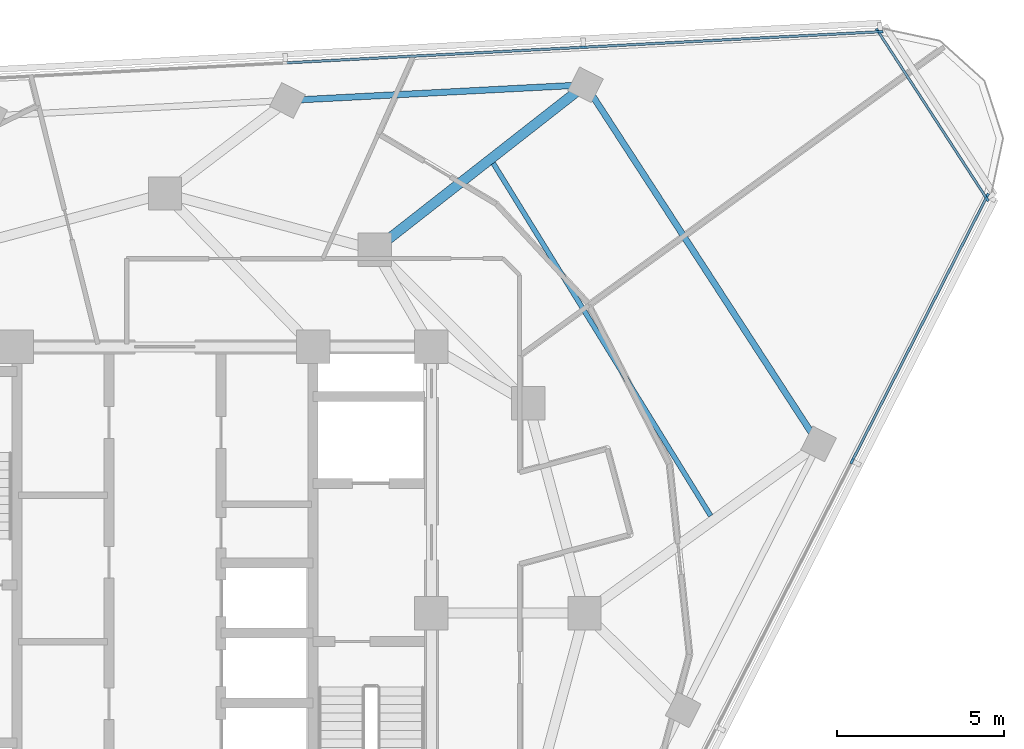
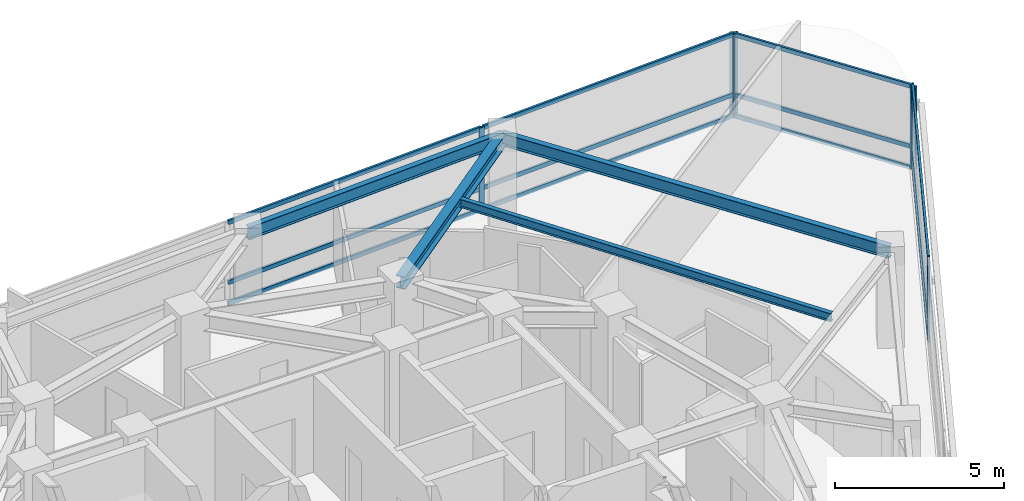
# One storey, part 6 of 15: 18 members, 4 beams, 3 elements without a shape of their own.
"""IFC4 building model written with IfcOpenShell, lengths in metres."""

import ifcopenshell
import ifcopenshell.guid

model = None  # the IFC model being written
_history = None  # IfcOwnerHistory: only IFC2X3 demands one
_inside = {}  # id of a spatial element -> (the spatial element, [elements in it])
_under = {}  # id of a project, library or spatial element -> (it, [spatial elements below it])
_declared = {}  # id of a project -> (the project, [libraries it declares])
_typed = {}  # id of a type object -> (the type object, [elements of that type])
_made_of = {}  # id of a material, layer set ... -> (it, [elements and type objects made of it])


def new_model(schema):
    """Start an empty IFC model of exactly this schema.

    Asked for "IFC4X3", IfcOpenShell would pick the latest addendum, in which some entities
    have other attributes; the version numbers below select the first issue.
    IFC2X3 requires an IfcOwnerHistory on every rooted entity: one is made here for all.
    """
    global model, _history
    if schema == "IFC4X3":
        model = ifcopenshell.file(schema_version=(4, 3, 0, 0))
    else:
        model = ifcopenshell.file(schema=schema)
    _inside.clear()
    _under.clear()
    _declared.clear()
    _typed.clear()
    _made_of.clear()
    _history = None
    if model.schema == "IFC2X3":
        org = make("IfcOrganization", Name="unknown")
        user = make(
            "IfcPersonAndOrganization",
            ThePerson=make("IfcPerson", FamilyName="unknown"),
            TheOrganization=org,
        )
        app = make(
            "IfcApplication",
            ApplicationDeveloper=org,
            Version="unknown",
            ApplicationFullName="unknown",
            ApplicationIdentifier="unknown",
        )
        _history = make(
            "IfcOwnerHistory",
            OwningUser=user,
            OwningApplication=app,
            ChangeAction="ADDED",
            CreationDate=0,
        )
    return model


def make(cls, **values):
    """One entity of the class cls with the attributes given. An attribute that is None is left unset."""
    return model.create_entity(
        cls, **{name: value for name, value in values.items() if value is not None}
    )


def rooted(cls, **values):
    """An entity with a GlobalId (a new one), such as an element, a storey or a relation."""
    return make(cls, GlobalId=ifcopenshell.guid.new(), OwnerHistory=_history, **values)


def si_unit(unit_type, name, prefix=None):
    """IfcSIUnit, for example si_unit("LENGTHUNIT", "METRE", prefix="MILLI")."""
    return make("IfcSIUnit", UnitType=unit_type, Prefix=prefix, Name=name)


def assignment(units):
    """IfcUnitAssignment: the units of a project."""
    return None if units is None else make("IfcUnitAssignment", Units=units)


def point(xyz):
    """IfcCartesianPoint."""
    return None if xyz is None else make("IfcCartesianPoint", Coordinates=xyz)


def direction(xyz):
    """IfcDirection."""
    return None if xyz is None else make("IfcDirection", DirectionRatios=xyz)


def frame(location, z_axis=None, x_axis=None):
    """IfcAxis2Placement3D, a coordinate frame: its origin and axes. An axis left out is left unset."""
    return make(
        "IfcAxis2Placement3D",
        Location=point(location),
        Axis=direction(z_axis),
        RefDirection=direction(x_axis),
    )


def frame_2d(location, x_axis=None):
    """IfcAxis2Placement2D, a coordinate frame in the plane: its origin and x axis."""
    return make(
        "IfcAxis2Placement2D", Location=point(location), RefDirection=direction(x_axis)
    )


def origin():
    """The frame at (0, 0, 0) with its axes left unset."""
    return frame((0.0, 0.0, 0.0))


def origin_2d():
    """The frame at (0, 0) in the plane with its x axis left unset."""
    return frame_2d((0.0, 0.0))


def place(relative_to, where):
    """IfcLocalPlacement: puts the frame where relative to a parent placement (None: the world)."""
    return make(
        "IfcLocalPlacement", PlacementRelTo=relative_to, RelativePlacement=where
    )


def context(
    kind, dimensions, precision=None, world=None, true_north=None, identifier=None
):
    """IfcGeometricRepresentationContext, for example the 3D "Model" context."""
    return make(
        "IfcGeometricRepresentationContext",
        ContextIdentifier=identifier,
        ContextType=kind,
        CoordinateSpaceDimension=dimensions,
        Precision=precision,
        WorldCoordinateSystem=world,
        TrueNorth=true_north,
    )


def subcontext(parent, identifier, kind, view, scale=None):
    """IfcGeometricRepresentationSubContext, for example "Body" below "Model"."""
    return make(
        "IfcGeometricRepresentationSubContext",
        ContextIdentifier=identifier,
        ContextType=kind,
        ParentContext=parent,
        TargetScale=scale,
        TargetView=view,
    )


def project(units=None, contexts=None):
    """IfcProject with its units and contexts."""
    return rooted(
        "IfcProject",
        Name="project",
        RepresentationContexts=contexts,
        UnitsInContext=assignment(units),
    )


def spatial(cls, under=None, at=None, **own):
    """A site, building, storey or space (cls), placed at a placement, below another one or the project."""
    s = rooted(cls, ObjectPlacement=at, **own)
    if under is not None:
        _under.setdefault(under.id(), (under, []))[1].append(s)
    return s


def profile(cls, at=None, kind="AREA", **sizes):
    """A parametric profile (cls). Its sizes go by their IFC names, for example OverallWidth=200.0."""
    return make(cls, ProfileType=kind, Position=at, **sizes)


def rectangle(**sizes):
    """IfcRectangleProfileDef."""
    return profile("IfcRectangleProfileDef", **sizes)


def i_section(**sizes):
    """IfcIShapeProfileDef."""
    return profile("IfcIShapeProfileDef", **sizes)


def extrude(swept, where, along, depth):
    """IfcExtrudedAreaSolid: the profile swept, set in the frame where, extruded along a direction by depth."""
    return make(
        "IfcExtrudedAreaSolid",
        SweptArea=swept,
        Position=where,
        ExtrudedDirection=direction(along),
        Depth=depth,
    )


def shape(context_of_items, identifier, shape_type, items):
    """IfcShapeRepresentation: the items that make up one representation, for example the "Body"."""
    return make(
        "IfcShapeRepresentation",
        ContextOfItems=context_of_items,
        RepresentationIdentifier=identifier,
        RepresentationType=shape_type,
        Items=items,
    )


def material(Name=None, Category=None):
    """IfcMaterial."""
    return make("IfcMaterial", Name=Name, Category=Category)


def layer(
    of_material, thickness, ventilated=None, Name=None, Category=None, Priority=None
):
    """IfcMaterialLayer: one layer of a wall or slab, of a material (None: an air gap)."""
    return make(
        "IfcMaterialLayer",
        Material=of_material,
        LayerThickness=thickness,
        IsVentilated=ventilated,
        Name=Name,
        Category=Category,
        Priority=Priority,
    )


def layer_set(layers, Name=None):
    """IfcMaterialLayerSet."""
    return make("IfcMaterialLayerSet", MaterialLayers=layers, LayerSetName=Name)


def material_profile(
    of_material, cross_section, Name=None, Category=None, Priority=None
):
    """IfcMaterialProfile: a cross section and its material."""
    return make(
        "IfcMaterialProfile",
        Name=Name,
        Material=of_material,
        Profile=cross_section,
        Priority=Priority,
        Category=Category,
    )


def profile_set(profiles, Name=None, composite=None):
    """IfcMaterialProfileSet."""
    return make(
        "IfcMaterialProfileSet",
        Name=Name,
        MaterialProfiles=profiles,
        CompositeProfile=composite,
    )


def made_of(thing, what):
    """Note that an element or type object is made of a material, layer set ...; save() writes the relation."""
    if what is not None:
        _made_of.setdefault(what.id(), (what, []))[1].append(thing)
    return thing


def type_object(cls, material=None, **own):
    """A type object (cls), such as IfcWallType, which elements share."""
    return made_of(rooted(cls, **own), material)


def element(
    cls,
    number,
    at=None,
    inside=None,
    cuts=None,
    type_object=None,
    material=None,
    context=None,
    identifier="Body",
    shape_type=None,
    held_by="IfcProductDefinitionShape",
    body=None,
    shapes=None,
    **own,
):
    """One element of the class cls, such as IfcWall. Its Tag is "e" and its number.

    at: its placement. inside: the storey or other place that contains it. cuts: it is an
    opening in that element (IfcRelVoidsElement). A single representation is given by context,
    identifier, shape_type and body (its items); several are given by shapes. held_by: the class
    of the entity that holds the representations. save() writes the other relations.
    """
    e = rooted(cls, Tag="e%d" % number, ObjectPlacement=at, **own)
    if body is not None:
        shapes = [shape(context, identifier, shape_type, body)]
    if shapes is not None:
        e.Representation = make(held_by, Representations=shapes)
    if inside is not None:
        _inside.setdefault(inside.id(), (inside, []))[1].append(e)
    if cuts is not None:
        rooted(
            "IfcRelVoidsElement", RelatingBuildingElement=cuts, RelatedOpeningElement=e
        )
    if type_object is not None:
        _typed.setdefault(type_object.id(), (type_object, []))[1].append(e)
    return made_of(e, material)


def aggregate(whole, parts):
    """IfcRelAggregates: a whole, such as a stair, and the parts it consists of."""
    return rooted("IfcRelAggregates", RelatingObject=whole, RelatedObjects=parts)


def save(model, path):
    """Write the relations noted so far, then the file.

    IfcRelAggregates (storeys below a building ...), IfcRelContainedInSpatialStructure (elements
    in a storey), IfcRelDefinesByType, IfcRelAssociatesMaterial and IfcRelDeclares: one each for
    every whole, place, type object, material and project.
    """
    for whole, parts in _under.values():
        aggregate(whole, parts)
    for where, things in _inside.values():
        rooted(
            "IfcRelContainedInSpatialStructure",
            RelatedElements=things,
            RelatingStructure=where,
        )
    for kind, things in _typed.values():
        rooted("IfcRelDefinesByType", RelatedObjects=things, RelatingType=kind)
    for what, things in _made_of.values():
        rooted("IfcRelAssociatesMaterial", RelatedObjects=things, RelatingMaterial=what)
    for by, libraries in _declared.values():
        rooted("IfcRelDeclares", RelatingContext=by, RelatedDefinitions=libraries)
    model.write(path)


model = new_model("IFC4")

# Units and contexts
model_context = context("Model", 3, precision=1e-05, world=origin(), true_north=direction((0.0, 1.0)))
body_context = subcontext(model_context, "Body", "Model", "MODEL_VIEW")
ifc_project = project(units=[si_unit("LENGTHUNIT", "METRE"), si_unit("AREAUNIT", "SQUARE_METRE"), si_unit("VOLUMEUNIT", "CUBIC_METRE"), si_unit("PLANEANGLEUNIT", "RADIAN"), si_unit("MASSUNIT", "GRAM", prefix="KILO")], contexts=[model_context])

# Site, building, storey
site_placement = place(None, origin())
site = spatial("IfcSite", under=ifc_project, at=site_placement, CompositionType="ELEMENT")
building_placement = place(site_placement, origin())
building = spatial("IfcBuilding", under=site, at=building_placement, Name="Terralouvre Media Tower", CompositionType="ELEMENT")
storey_placement = place(building_placement, frame((0.0, 0.0, 255.89990234375)))
storey = spatial("IfcBuildingStorey", under=building, at=storey_placement, Name="L66", CompositionType="ELEMENT", Elevation=255.89990234375)

# Beam
ifc_material_1 = material(Name="Structural steel S355J2", Category="steel")
ifc_material_profile_1 = material_profile(ifc_material_1, i_section(OverallWidth=0.14990234375, OverallDepth=0.300048828125, WebThickness=0.007080078125, FlangeThickness=0.0107421875, at=origin_2d()), Name="IPE 300")
ifc_profile_set_1 = profile_set([ifc_material_profile_1], Name="Structural steel S355J2")
beam_type_1 = type_object("IfcBeamType", Name="Composite Floor Joist J-IPE300 (IPE 300)", PredefinedType="JOIST", material=ifc_profile_set_1)
beam_1_placement = place(storey_placement, frame((16.387451171875, 2.9228515625, 3.35009765625), z_axis=(-0.524944877802, 0.851136226035, 0.0), x_axis=(-0.851136226035, -0.524944877802, 0.0)))
element("IfcBeam", 1, at=beam_1_placement, inside=storey, type_object=beam_type_1, Name="L66 Framing Beam JT-L66-03", PredefinedType="JOIST", context=body_context, shape_type="SweptSolid", body=[
    extrude(i_section(OverallWidth=0.14990234375, OverallDepth=0.300048828125, WebThickness=0.007080078125, FlangeThickness=0.0107421875, at=origin_2d()), origin(), (0.0, 0.0, 1.0), 12.43701171875),
])

# Curtain wall, members
ifc_material_2 = material(Name="Low-iron laminated double glazing with solar-control coating", Category="glass")
ifc_layer_1 = layer(ifc_material_2, 0.1650390625, Name="Upper Executive Tower Curtain Wall CW-05")
ifc_layer_set_1 = layer_set([ifc_layer_1], Name="Low-iron laminated double glazing with solar-control coating")
curtain_wall_type_1 = type_object("IfcCurtainWallType", Name="Upper Executive Tower Curtain Wall CW-05", PredefinedType="NOTDEFINED", material=ifc_layer_set_1)
curtain_wall_1_placement = place(storey_placement, origin())
curtain_wall_1 = element("IfcCurtainWall", 2, at=curtain_wall_1_placement, inside=storey, type_object=curtain_wall_type_1, Name="L66 Facade Curtain Wall F0", PredefinedType="NOTDEFINED")
ifc_material_3 = material(Name="Anodised extruded aluminium 6063-T6", Category="aluminium")
ifc_material_profile_2 = material_profile(ifc_material_3, rectangle(XDim=0.074951171875, YDim=0.14990234375, at=origin_2d()), Name="ALU 75x150")
ifc_profile_set_2 = profile_set([ifc_material_profile_2], Name="Anodised extruded aluminium 6063-T6")
member_type_1 = type_object("IfcMemberType", Name="Curtain-Wall Horizontal Transom TR-150", PredefinedType="USERDEFINED", material=ifc_profile_set_2)
member_1_placement = place(storey_placement, frame((20.6533203125, 4.602783203125, 0.03759765625), z_axis=(0.453989026721, 0.891007274727, 0.0), x_axis=(-0.891007274727, 0.453989026721, 0.0)))
member_1 = element("IfcMember", 3, at=member_1_placement, type_object=member_type_1, Name="CW-05 transom 5.1", ObjectType="TRANSOM", PredefinedType="USERDEFINED", context=body_context, shape_type="SweptSolid", body=[
    extrude(rectangle(XDim=0.074951171875, YDim=0.14990234375, at=origin_2d()), origin(), (0.0, 0.0, 1.0), 8.847412109375),
])
member_2_placement = place(storey_placement, frame((20.6533203125, 4.602783203125, 0.800048828125), z_axis=(0.453989026721, 0.891007274727, 0.0), x_axis=(-0.891007274727, 0.453989026721, 0.0)))
member_2 = element("IfcMember", 4, at=member_2_placement, type_object=member_type_1, Name="CW-05 transom 5.2", ObjectType="TRANSOM", PredefinedType="USERDEFINED", context=body_context, shape_type="SweptSolid", body=[
    extrude(rectangle(XDim=0.074951171875, YDim=0.14990234375, at=origin_2d()), origin(), (0.0, 0.0, 1.0), 8.847412109375),
])
member_3_placement = place(storey_placement, frame((20.6533203125, 4.602783203125, 2.962646484375), z_axis=(0.453989026721, 0.891007274727, 0.0), x_axis=(-0.891007274727, 0.453989026721, 0.0)))
member_3 = element("IfcMember", 5, at=member_3_placement, type_object=member_type_1, Name="CW-05 transom 5.3", ObjectType="TRANSOM", PredefinedType="USERDEFINED", context=body_context, shape_type="SweptSolid", body=[
    extrude(rectangle(XDim=0.074951171875, YDim=0.14990234375, at=origin_2d()), origin(), (0.0, 0.0, 1.0), 8.847412109375),
])

curtain_wall_2_placement = place(storey_placement, origin())
curtain_wall_2 = element("IfcCurtainWall", 6, at=curtain_wall_2_placement, inside=storey, type_object=curtain_wall_type_1, Name="L66 Facade Curtain Wall F1", PredefinedType="NOTDEFINED")
member_4_placement = place(storey_placement, frame((21.440673828125, 17.458740234375, 0.03759765625), z_axis=(-0.99862901196, -0.052345930801, 0.0), x_axis=(0.052345930801, -0.99862901196, 0.0)))
member_4 = element("IfcMember", 7, at=member_4_placement, type_object=member_type_1, Name="CW-05 transom 1.1", ObjectType="TRANSOM", PredefinedType="USERDEFINED", context=body_context, shape_type="SweptSolid", body=[
    extrude(rectangle(XDim=0.074951171875, YDim=0.14990234375, at=origin_2d()), origin(), (0.0, 0.0, 1.0), 8.84765625),
])
member_5_placement = place(storey_placement, frame((21.440673828125, 17.458740234375, 0.800048828125), z_axis=(-0.99862901196, -0.052345930801, 0.0), x_axis=(0.052345930801, -0.99862901196, 0.0)))
member_5 = element("IfcMember", 8, at=member_5_placement, type_object=member_type_1, Name="CW-05 transom 1.2", ObjectType="TRANSOM", PredefinedType="USERDEFINED", context=body_context, shape_type="SweptSolid", body=[
    extrude(rectangle(XDim=0.074951171875, YDim=0.14990234375, at=origin_2d()), origin(), (0.0, 0.0, 1.0), 8.84765625),
])
member_6_placement = place(storey_placement, frame((21.440673828125, 17.458740234375, 2.962646484375), z_axis=(-0.99862901196, -0.052345930801, 0.0), x_axis=(0.052345930801, -0.99862901196, 0.0)))
member_6 = element("IfcMember", 9, at=member_6_placement, type_object=member_type_1, Name="CW-05 transom 1.3", ObjectType="TRANSOM", PredefinedType="USERDEFINED", context=body_context, shape_type="SweptSolid", body=[
    extrude(rectangle(XDim=0.074951171875, YDim=0.14990234375, at=origin_2d()), origin(), (0.0, 0.0, 1.0), 8.84765625),
])
member_7_placement = place(storey_placement, frame((12.5302734375, 16.99169921875, 0.03759765625), z_axis=(-0.998629040577, -0.052345384869, 0.0), x_axis=(0.052345384869, -0.998629040577, 0.0)))
member_7 = element("IfcMember", 10, at=member_7_placement, type_object=member_type_1, Name="CW-05 transom 2.1", ObjectType="TRANSOM", PredefinedType="USERDEFINED", context=body_context, shape_type="SweptSolid", body=[
    extrude(rectangle(XDim=0.074951171875, YDim=0.14990234375, at=origin_2d()), origin(), (0.0, 0.0, 1.0), 8.885009765625),
])
member_8_placement = place(storey_placement, frame((12.5302734375, 16.99169921875, 0.800048828125), z_axis=(-0.998629040577, -0.052345384869, 0.0), x_axis=(0.052345384869, -0.998629040577, 0.0)))
member_8 = element("IfcMember", 11, at=member_8_placement, type_object=member_type_1, Name="CW-05 transom 2.2", ObjectType="TRANSOM", PredefinedType="USERDEFINED", context=body_context, shape_type="SweptSolid", body=[
    extrude(rectangle(XDim=0.074951171875, YDim=0.14990234375, at=origin_2d()), origin(), (0.0, 0.0, 1.0), 8.885009765625),
])
member_9_placement = place(storey_placement, frame((12.5302734375, 16.99169921875, 2.962646484375), z_axis=(-0.998629040577, -0.052345384869, 0.0), x_axis=(0.052345384869, -0.998629040577, 0.0)))
member_9 = element("IfcMember", 12, at=member_9_placement, type_object=member_type_1, Name="CW-05 transom 2.3", ObjectType="TRANSOM", PredefinedType="USERDEFINED", context=body_context, shape_type="SweptSolid", body=[
    extrude(rectangle(XDim=0.074951171875, YDim=0.14990234375, at=origin_2d()), origin(), (0.0, 0.0, 1.0), 8.885009765625),
])

ifc_material_4 = material(Name="Low-iron laminated double glazing with solar-control coating", Category="glass")
ifc_layer_2 = layer(ifc_material_4, 0.1650390625, Name="Rounded Wind-Corner Curved Glazing CW-04")
ifc_layer_set_2 = layer_set([ifc_layer_2], Name="Low-iron laminated double glazing with solar-control coating")
curtain_wall_type_2 = type_object("IfcCurtainWallType", Name="Rounded Wind-Corner Curved Glazing CW-04", PredefinedType="NOTDEFINED", material=ifc_layer_set_2)
curtain_wall_3_placement = place(storey_placement, origin())
curtain_wall_3 = element("IfcCurtainWall", 13, at=curtain_wall_3_placement, inside=storey, type_object=curtain_wall_type_2, Name="L66 Rounded Wind-Corner Curtain Wall C1", PredefinedType="NOTDEFINED")
member_10_placement = place(storey_placement, frame((24.65283203125, 12.48486328125, 0.03759765625), z_axis=(-0.544654480098, 0.838660537589, 0.0), x_axis=(-0.838660537589, -0.544654480098, 0.0)))
member_10 = element("IfcMember", 14, at=member_10_placement, type_object=member_type_1, Name="CW-04 transom 1.1", ObjectType="TRANSOM", PredefinedType="USERDEFINED", context=body_context, shape_type="SweptSolid", body=[
    extrude(rectangle(XDim=0.074951171875, YDim=0.14990234375, at=origin_2d()), origin(), (0.0, 0.0, 1.0), 5.912353515625),
])
member_11_placement = place(storey_placement, frame((24.65283203125, 12.48486328125, 0.800048828125), z_axis=(-0.544654480098, 0.838660537589, 0.0), x_axis=(-0.838660537589, -0.544654480098, 0.0)))
member_11 = element("IfcMember", 15, at=member_11_placement, type_object=member_type_1, Name="CW-04 transom 1.2", ObjectType="TRANSOM", PredefinedType="USERDEFINED", context=body_context, shape_type="SweptSolid", body=[
    extrude(rectangle(XDim=0.074951171875, YDim=0.14990234375, at=origin_2d()), origin(), (0.0, 0.0, 1.0), 5.912353515625),
])
member_12_placement = place(storey_placement, frame((24.65283203125, 12.48486328125, 2.962646484375), z_axis=(-0.544654480098, 0.838660537589, 0.0), x_axis=(-0.838660537589, -0.544654480098, 0.0)))
member_12 = element("IfcMember", 16, at=member_12_placement, type_object=member_type_1, Name="CW-04 transom 1.3", ObjectType="TRANSOM", PredefinedType="USERDEFINED", context=body_context, shape_type="SweptSolid", body=[
    extrude(rectangle(XDim=0.074951171875, YDim=0.14990234375, at=origin_2d()), origin(), (0.0, 0.0, 1.0), 5.912353515625),
])

# Member
ifc_material_5 = material(Name="Anodised extruded aluminium 6063-T6", Category="aluminium")
ifc_material_profile_3 = material_profile(ifc_material_5, rectangle(XDim=0.074951171875, YDim=0.179931640625, at=origin_2d()), Name="ALU 75x180")
ifc_profile_set_3 = profile_set([ifc_material_profile_3], Name="Anodised extruded aluminium 6063-T6")
member_type_2 = type_object("IfcMemberType", Name="Curtain-Wall Vertical Mullion ML-180", PredefinedType="MULLION", material=ifc_profile_set_3)
member_13_placement = place(storey_placement, frame((20.63623046875, 4.5693359375, 0.0), z_axis=(0.0, 0.0, 1.0), x_axis=(-0.891006553308, 0.45399044259, 0.0)))
member_13 = element("IfcMember", 17, at=member_13_placement, type_object=member_type_2, Name="CW-05 mullion 5", PredefinedType="MULLION", context=body_context, shape_type="SweptSolid", body=[
    extrude(rectangle(XDim=0.074951171875, YDim=0.179931640625, at=origin_2d()), origin(), (0.0, 0.0, 1.0), 3.0),
])

member_14_placement = place(storey_placement, frame((24.68701171875, 12.519287109375, 0.0), z_axis=(0.0, 0.0, 1.0), x_axis=(-0.891006553308, 0.45399044259, 0.0)))
member_14 = element("IfcMember", 18, at=member_14_placement, type_object=member_type_2, Name="CW-05 mullion 6", PredefinedType="MULLION", context=body_context, shape_type="SweptSolid", body=[
    extrude(rectangle(XDim=0.074951171875, YDim=0.179931640625, at=origin_2d()), origin(), (0.0, 0.0, 1.0), 3.0),
])

aggregate(curtain_wall_1, [member_13, member_14, member_1, member_2, member_3])

member_15_placement = place(storey_placement, frame((21.47802734375, 17.460693359375, 0.0), z_axis=(0.0, 0.0, 1.0), x_axis=(0.052336163844, -0.998629523875, 0.0)))
member_15 = element("IfcMember", 19, at=member_15_placement, type_object=member_type_2, Name="CW-05 mullion 1", PredefinedType="MULLION", context=body_context, shape_type="SweptSolid", body=[
    extrude(rectangle(XDim=0.074951171875, YDim=0.179931640625, at=origin_2d()), origin(), (0.0, 0.0, 1.0), 3.0),
])

member_16_placement = place(storey_placement, frame((12.56787109375, 16.99365234375, 0.0), z_axis=(0.0, 0.0, 1.0), x_axis=(0.052336163844, -0.998629523875, 0.0)))
member_16 = element("IfcMember", 20, at=member_16_placement, type_object=member_type_2, Name="CW-05 mullion 2", PredefinedType="MULLION", context=body_context, shape_type="SweptSolid", body=[
    extrude(rectangle(XDim=0.074951171875, YDim=0.179931640625, at=origin_2d()), origin(), (0.0, 0.0, 1.0), 3.0),
])

aggregate(curtain_wall_2, [member_15, member_16, member_4, member_5, member_6, member_7, member_8, member_9])

member_17_placement = place(storey_placement, frame((24.673095703125, 12.453369140625, 0.0), z_axis=(0.0, 0.0, 1.0), x_axis=(-0.838670462688, -0.544639197097, 0.0)))
member_17 = element("IfcMember", 21, at=member_17_placement, type_object=member_type_2, Name="CW-04 mullion 1", PredefinedType="MULLION", context=body_context, shape_type="SweptSolid", body=[
    extrude(rectangle(XDim=0.074951171875, YDim=0.179931640625, at=origin_2d()), origin(), (0.0, 0.0, 1.0), 3.0),
])

member_18_placement = place(storey_placement, frame((21.412353515625, 17.474853515625, 0.0), z_axis=(0.0, 0.0, 1.0), x_axis=(-0.838670462688, -0.544639197097, 0.0)))
member_18 = element("IfcMember", 22, at=member_18_placement, type_object=member_type_2, Name="CW-04 mullion 2", PredefinedType="MULLION", context=body_context, shape_type="SweptSolid", body=[
    extrude(rectangle(XDim=0.074951171875, YDim=0.179931640625, at=origin_2d()), origin(), (0.0, 0.0, 1.0), 3.0),
])

aggregate(curtain_wall_3, [member_17, member_18, member_10, member_11, member_12])

# Beams
ifc_material_6 = material(Name="Structural steel S355J2", Category="steel")
ifc_material_profile_4 = material_profile(ifc_material_6, i_section(OverallWidth=0.18994140625, OverallDepth=0.449951171875, WebThickness=0.009521484375, FlangeThickness=0.0146484375, at=origin_2d()), Name="IPE 450")
ifc_profile_set_4 = profile_set([ifc_material_profile_4], Name="Structural steel S355J2")
beam_type_2 = type_object("IfcBeamType", Name="Perimeter Spandrel Beam SPB-450 (IPE 450)", PredefinedType="SPANDREL", material=ifc_profile_set_4)
beam_2_placement = place(storey_placement, frame((19.62939453125, 5.082275390625, 3.275146484375), z_axis=(-0.544633890672, 0.838673908699, 0.0), x_axis=(-0.838673908699, -0.544633890672, 0.0)))
element("IfcBeam", 23, at=beam_2_placement, inside=storey, type_object=beam_type_2, Name="L66 Framing Beam BM-L66-PR07", PredefinedType="SPANDREL", context=body_context, shape_type="SweptSolid", body=[
    extrude(i_section(OverallWidth=0.18994140625, OverallDepth=0.449951171875, WebThickness=0.009521484375, FlangeThickness=0.0146484375, at=origin_2d()), origin(), (0.0, 0.0, 1.0), 12.857177734375),
])
beam_3_placement = place(storey_placement, frame((12.626953125, 15.865234375, 3.275146484375), z_axis=(-0.998629171747, -0.052342882372, 0.0), x_axis=(0.052342882372, -0.998629171747, 0.0)))
element("IfcBeam", 24, at=beam_3_placement, inside=storey, type_object=beam_type_2, Name="L66 Framing Beam BM-L66-PR08", PredefinedType="SPANDREL", context=body_context, shape_type="SweptSolid", body=[
    extrude(i_section(OverallWidth=0.18994140625, OverallDepth=0.449951171875, WebThickness=0.009521484375, FlangeThickness=0.0146484375, at=origin_2d()), origin(), (0.0, 0.0, 1.0), 8.9599609375),
])
ifc_material_7 = material(Name="Structural steel S355J2", Category="steel")
ifc_material_profile_5 = material_profile(ifc_material_7, i_section(OverallWidth=0.300048828125, OverallDepth=0.449951171875, WebThickness=0.013916015625, FlangeThickness=0.02587890625, at=origin_2d()), Name="HEB 450")
ifc_profile_set_5 = profile_set([ifc_material_profile_5], Name="Structural steel S355J2")
beam_type_3 = type_object("IfcBeamType", Name="Primary Floor Girder B-HEB450 (HEB 450)", PredefinedType="BEAM", material=ifc_profile_set_5)
beam_4_placement = place(storey_placement, frame((6.300048828125, 10.911865234375, 3.275146484375), z_axis=(0.787391503235, 0.616453259083, 0.0), x_axis=(-0.616453259083, 0.787391503235, 0.0)))
element("IfcBeam", 25, at=beam_4_placement, inside=storey, type_object=beam_type_3, Name="L66 Framing Beam BM-L66-RD08", PredefinedType="BEAM", context=body_context, shape_type="SweptSolid", body=[
    extrude(i_section(OverallWidth=0.300048828125, OverallDepth=0.449951171875, WebThickness=0.013916015625, FlangeThickness=0.02587890625, at=origin_2d()), origin(), (0.0, 0.0, 1.0), 8.03515625),
])

save(model, "model.ifc")
